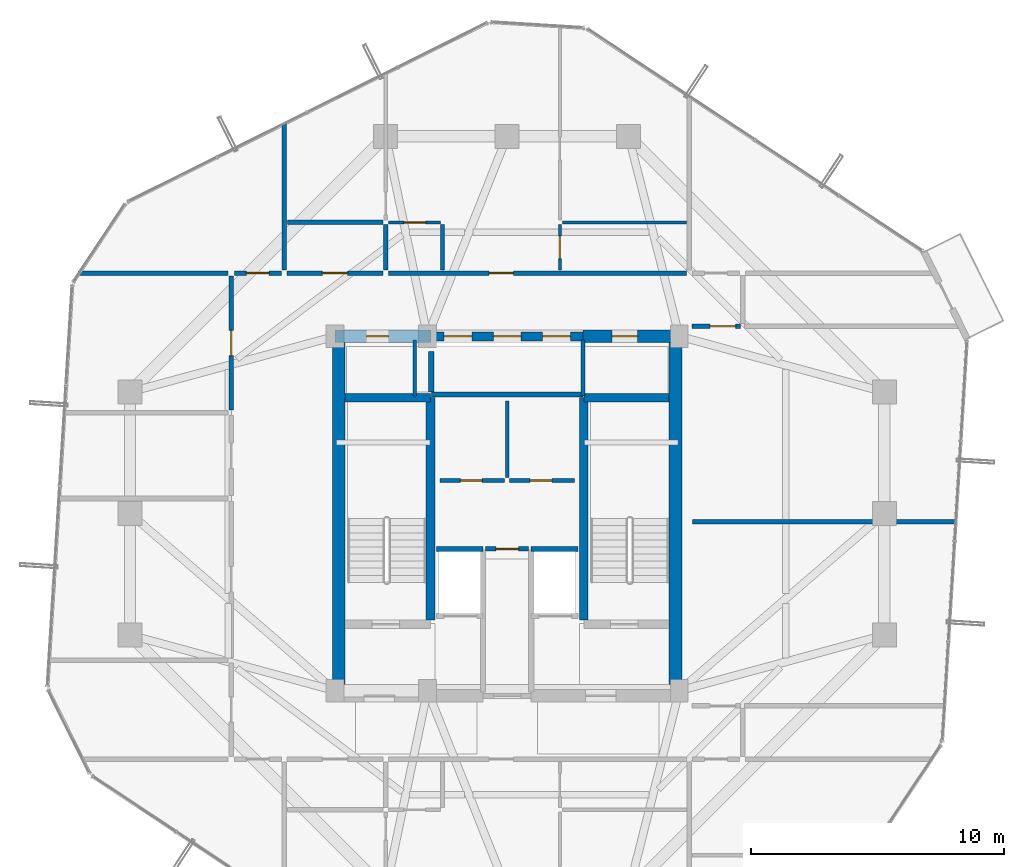
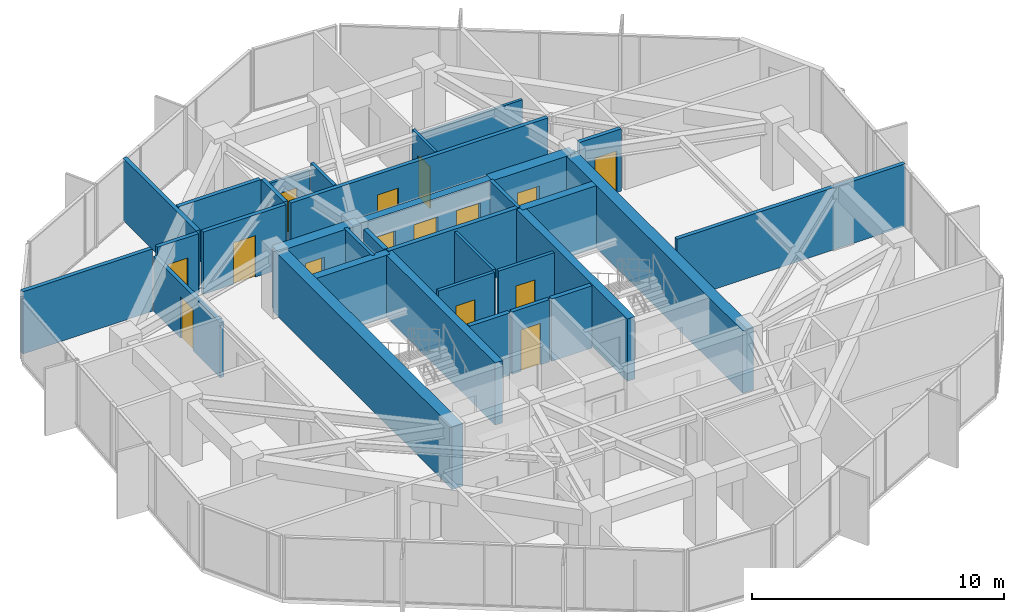
# One storey, part 26 of 29: 33 walls, 15 doors, 15 openings.
"""IFC4 building model written with IfcOpenShell, lengths in metres."""

from ifc_helpers import new_model, si_unit, direction, frame, frame_2d, origin, place, context, subcontext, project, spatial, rectangle, extrude, source, transform, mapped, material, layer, layer_set, type_object, element, fill, save


model = new_model("IFC4")

# Units and contexts
model_context = context("Model", 3, precision=1e-05, world=origin(), true_north=direction((0.0, 1.0)))
body_context = subcontext(model_context, "Body", "Model", "MODEL_VIEW")
ifc_project = project(units=[si_unit("LENGTHUNIT", "METRE"), si_unit("AREAUNIT", "SQUARE_METRE"), si_unit("VOLUMEUNIT", "CUBIC_METRE"), si_unit("PLANEANGLEUNIT", "RADIAN"), si_unit("MASSUNIT", "GRAM", prefix="KILO")], contexts=[model_context])

# Site, building, storey
site_placement = place(None, origin())
site = spatial("IfcSite", under=ifc_project, at=site_placement, CompositionType="ELEMENT")
building_placement = place(site_placement, origin())
building = spatial("IfcBuilding", under=site, at=building_placement, Name="Veraguas Prism Commons", CompositionType="ELEMENT")
storey_placement = place(building_placement, frame((0.0, 0.0, 218.89990234375)))
storey = spatial("IfcBuildingStorey", under=building, at=storey_placement, Name="L62", CompositionType="ELEMENT", Elevation=218.89990234375)

# Wall, openings, doors
ifc_material_1 = material(Name="Concrete C50/60", Category="concrete")
ifc_layer_1 = layer(ifc_material_1, 0.35009765625, Name="Core Internal Shear Wall Upper RC 350", Category="concrete")
ifc_layer_set_1 = layer_set([ifc_layer_1], Name="Concrete C50/60")
wall_type_1 = type_object("IfcWallType", Name="Core Internal Shear Wall Upper RC 350", PredefinedType="SHEAR", material=ifc_layer_set_1)
wall_1_placement = place(storey_placement, frame((21.0, 31.0, 0.0), z_axis=(0.0, 0.0, 1.0), x_axis=(1.0, 0.0, 0.0)))
wall_1 = element("IfcWall", 1, at=wall_1_placement, inside=storey, type_object=wall_type_1, Name="High-Rise Lift Bank Front Shear Wall L62", PredefinedType="SHEAR", context=body_context, shape_type="SweptSolid", body=[
    extrude(rectangle(XDim=6.0, YDim=0.35009765625, at=frame_2d((3.0, 0.0))), origin(), (0.0, 0.0, 1.0), 3.01513671875),
])
opening_1_placement = place(wall_1_placement, frame((0.5, 0.0, 0.0)))
opening_1 = element("IfcOpeningElement", 2, at=opening_1_placement, cuts=wall_1, Name="Opening LD-01", PredefinedType="OPENING", context=body_context, shape_type="SweptSolid", body=[
    extrude(rectangle(XDim=1.10009765625, YDim=2.080078125, at=frame_2d((0.550048828125, 1.0400390625))), frame((0.0, 0.18505859375, 0.0), z_axis=(0.0, -1.0, 0.0), x_axis=(1.0, 0.0, 0.0)), (0.0, 0.0, 1.0), 0.3701171875),
])
opening_2_placement = place(wall_1_placement, frame((2.449951171875, 0.0, 0.0)))
opening_2 = element("IfcOpeningElement", 3, at=opening_2_placement, cuts=wall_1, Name="Opening LD-01", PredefinedType="OPENING", context=body_context, shape_type="SweptSolid", body=[
    extrude(rectangle(XDim=1.10009765625, YDim=2.080078125, at=frame_2d((0.550048828125, 1.0400390625))), frame((0.0, 0.18505859375, 0.0), z_axis=(0.0, -1.0, 0.0), x_axis=(1.0, 0.0, 0.0)), (0.0, 0.0, 1.0), 0.3701171875),
])
opening_3_placement = place(wall_1_placement, frame((4.39990234375, 0.0, 0.0)))
opening_3 = element("IfcOpeningElement", 4, at=opening_3_placement, cuts=wall_1, Name="Opening LD-01", PredefinedType="OPENING", context=body_context, shape_type="SweptSolid", body=[
    extrude(rectangle(XDim=1.10009765625, YDim=2.080078125, at=frame_2d((0.550048828125, 1.0400390625))), frame((0.0, 0.18505859375, 0.0), z_axis=(0.0, -1.0, 0.0), x_axis=(1.0, 0.0, 0.0)), (0.0, 0.0, 1.0), 0.3701171875),
])
ifc_material_2 = material(Name="Stainless steel AISI 316", Category="steel")
door_type_1 = type_object("IfcDoorType", Name="Passenger Lift Sliding Landing Door 1100x2080", OperationType="NOTDEFINED", PredefinedType="DOOR", material=ifc_material_2)
shared_shape_1 = source(origin(), body_context, "Body", "SweptSolid", [
    extrude(rectangle(XDim=1.10009765625, YDim=2.080078125, at=frame_2d((0.550048828125, 1.0400390625))), frame((0.0, 0.02490234375, 0.0), z_axis=(0.0, -1.0, 0.0), x_axis=(1.0, 0.0, 0.0)), (0.0, 0.0, 1.0), 0.050048828125),
])
door_1_placement = place(opening_1_placement, origin())
door_1 = element("IfcDoor", 5, at=door_1_placement, inside=storey, type_object=door_type_1, Name="Sliding Landing Door PL-H1 L62", OperationType="SLIDING_TO_LEFT", OverallHeight=2.080078125, OverallWidth=1.10009765625, PredefinedType="DOOR", context=body_context, shape_type="MappedRepresentation", body=[
    mapped(shared_shape_1, transform((0.0, 0.0, 0.0), scale=1.0)),
])
fill(opening_1, door_1)
door_2_placement = place(opening_2_placement, origin())
door_2 = element("IfcDoor", 6, at=door_2_placement, inside=storey, type_object=door_type_1, Name="Sliding Landing Door PL-H2 L62", OperationType="SLIDING_TO_LEFT", OverallHeight=2.080078125, OverallWidth=1.10009765625, PredefinedType="DOOR", context=body_context, shape_type="MappedRepresentation", body=[
    mapped(shared_shape_1, transform((0.0, 0.0, 0.0), scale=1.0)),
])
fill(opening_2, door_2)
door_3_placement = place(opening_3_placement, origin())
door_3 = element("IfcDoor", 7, at=door_3_placement, inside=storey, type_object=door_type_1, Name="Sliding Landing Door PL-H3 L62", OperationType="SLIDING_TO_LEFT", OverallHeight=2.080078125, OverallWidth=1.10009765625, PredefinedType="DOOR", context=body_context, shape_type="MappedRepresentation", body=[
    mapped(shared_shape_1, transform((0.0, 0.0, 0.0), scale=1.0)),
])
fill(opening_3, door_3)

# Walls
for number, where, z_axis, x_axis, name in (
    (8, (20.97509765625, 19.800048828125, 0.0), (0.0, 0.0, 1.0), (0.0, 1.0, 0.0), "Stair ST-01 Inner Shear Wall L62"),
    (9, (27.02490234375, 19.800048828125, 0.0), (0.0, 0.0, 1.0), (0.0, 1.0, 0.0), "Stair ST-02 Inner Shear Wall L62"),
):
    element("IfcWall", number, at=place(storey_placement, frame(where, z_axis=z_axis, x_axis=x_axis)), inside=storey, type_object=wall_type_1, Name=name, PredefinedType="SHEAR", context=body_context, shape_type="SweptSolid", body=[
        extrude(rectangle(XDim=8.77490234375, YDim=0.35009765625, at=frame_2d((4.387451171875, 0.0))), origin(), (0.0, 0.0, 1.0), 3.01513671875),
    ])
for number, where, z_axis, x_axis, name in (
    (10, (17.60009765625, 28.574951171875, 0.0), (0.0, 0.0, 1.0), (1.0, 0.0, 0.0), "Stair ST-01 North Shear Wall L62"),
    (11, (27.02490234375, 28.574951171875, 0.0), (0.0, 0.0, 1.0), (1.0, 0.0, 0.0), "Stair ST-02 North Shear Wall L62"),
):
    element("IfcWall", number, at=place(storey_placement, frame(where, z_axis=z_axis, x_axis=x_axis)), inside=storey, type_object=wall_type_1, Name=name, PredefinedType="SHEAR", context=body_context, shape_type="SweptSolid", body=[
        extrude(rectangle(XDim=3.375, YDim=0.35009765625, at=frame_2d((1.6875, 0.0))), origin(), (0.0, 0.0, 1.0), 3.01513671875),
    ])
ifc_layer_2 = layer(ifc_material_1, 0.5, Name="Core Outer Shear Wall Upper RC 500", Category="concrete")
ifc_layer_set_2 = layer_set([ifc_layer_2], Name="Concrete C50/60")
wall_type_2 = type_object("IfcWallType", Name="Core Outer Shear Wall Upper RC 500", PredefinedType="SHEAR", material=ifc_layer_set_2)
for number, where, z_axis, x_axis, name in (
    (12, (17.35009765625, 16.800048828125, 0.0), (0.0, 0.0, 1.0), (0.0, 1.0, 0.0), "Central Core West Shear Wall L62"),
    (13, (30.64990234375, 16.800048828125, 0.0), (0.0, 0.0, 1.0), (0.0, 1.0, 0.0), "Central Core East Shear Wall L62"),
):
    element("IfcWall", number, at=place(storey_placement, frame(where, z_axis=z_axis, x_axis=x_axis)), inside=storey, type_object=wall_type_2, Name=name, PredefinedType="SHEAR", context=body_context, shape_type="SweptSolid", body=[
        extrude(rectangle(XDim=14.199951171875, YDim=0.5, at=frame_2d((7.10009765625, 0.0))), origin(), (0.0, 0.0, 1.0), 3.01513671875),
    ])

# Wall, opening, door
wall_2_placement = place(storey_placement, frame((17.199951171875, 31.0, 0.0), z_axis=(0.0, 0.0, 1.0), x_axis=(1.0, 0.0, 0.0)))
wall_2 = element("IfcWall", 14, at=wall_2_placement, inside=storey, type_object=wall_type_2, Name="Central Core North-West Shear Wall L62", PredefinedType="SHEAR", context=body_context, shape_type="SweptSolid", body=[
    extrude(rectangle(XDim=3.800048828125, YDim=0.5, at=frame_2d((1.89990234375, 0.0))), origin(), (0.0, 0.0, 1.0), 3.01513671875),
])
opening_4_placement = place(wall_2_placement, frame((1.25, 0.0, 0.0)))
opening_4 = element("IfcOpeningElement", 15, at=opening_4_placement, cuts=wall_2, Name="Opening DR-12", PredefinedType="OPENING", context=body_context, shape_type="SweptSolid", body=[
    extrude(rectangle(XDim=0.860107421875, YDim=2.010009765625, at=frame_2d((0.43017578125, 1.0048828125))), frame((0.0, 0.260009765625, 0.0), z_axis=(0.0, -1.0, 0.0), x_axis=(1.0, 0.0, 0.0)), (0.0, 0.0, 1.0), 0.52001953125),
])
ifc_material_3 = material(Name="Steel fire-rated door assembly", Category="steel")
door_type_2 = type_object("IfcDoorType", Name="Core WC Fire Door 860x2010", OperationType="NOTDEFINED", PredefinedType="DOOR", material=ifc_material_3)
shared_shape_2 = source(origin(), body_context, "Body", "SweptSolid", [
    extrude(rectangle(XDim=0.860107421875, YDim=2.010009765625, at=frame_2d((0.43017578125, 1.0048828125))), frame((0.0, 0.02490234375, 0.0), z_axis=(0.0, -1.0, 0.0), x_axis=(1.0, 0.0, 0.0)), (0.0, 0.0, 1.0), 0.050048828125),
])
door_4_placement = place(opening_4_placement, origin())
door_4 = element("IfcDoor", 16, at=door_4_placement, inside=storey, type_object=door_type_2, Name="Core NW Service Door L62", OperationType="SINGLE_SWING_LEFT", OverallHeight=2.010009765625, OverallWidth=0.860107421875, PredefinedType="DOOR", context=body_context, shape_type="MappedRepresentation", body=[
    mapped(shared_shape_2, transform((0.0, 0.0, 0.0), scale=1.0)),
])
fill(opening_4, door_4)

wall_3_placement = place(storey_placement, frame((27.0, 31.0, 0.0), z_axis=(0.0, 0.0, 1.0), x_axis=(1.0, 0.0, 0.0)))
wall_3 = element("IfcWall", 17, at=wall_3_placement, inside=storey, type_object=wall_type_2, Name="Central Core North-East Shear Wall L62", PredefinedType="SHEAR", context=body_context, shape_type="SweptSolid", body=[
    extrude(rectangle(XDim=3.800048828125, YDim=0.5, at=frame_2d((1.89990234375, 0.0))), origin(), (0.0, 0.0, 1.0), 3.01513671875),
])
opening_5_placement = place(wall_3_placement, frame((1.14990234375, 0.0, 0.0)))
opening_5 = element("IfcOpeningElement", 18, at=opening_5_placement, cuts=wall_3, Name="Opening DR-13", PredefinedType="OPENING", context=body_context, shape_type="SweptSolid", body=[
    extrude(rectangle(XDim=1.0, YDim=2.010009765625, at=frame_2d((0.5, 1.0048828125))), frame((0.0, 0.260009765625, 0.0), z_axis=(0.0, -1.0, 0.0), x_axis=(1.0, 0.0, 0.0)), (0.0, 0.0, 1.0), 0.52001953125),
])
door_type_3 = type_object("IfcDoorType", Name="Core Accessible WC and Clinic Fire Door 1000x2010", OperationType="NOTDEFINED", PredefinedType="DOOR", material=ifc_material_3)
shared_shape_3 = source(origin(), body_context, "Body", "SweptSolid", [
    extrude(rectangle(XDim=1.0, YDim=2.010009765625, at=frame_2d((0.5, 1.0048828125))), frame((0.0, 0.02490234375, 0.0), z_axis=(0.0, -1.0, 0.0), x_axis=(1.0, 0.0, 0.0)), (0.0, 0.0, 1.0), 0.050048828125),
])
door_5_placement = place(opening_5_placement, origin())
door_5 = element("IfcDoor", 19, at=door_5_placement, inside=storey, type_object=door_type_3, Name="Core NE Pantry Door L62", OperationType="SINGLE_SWING_RIGHT", OverallHeight=2.010009765625, OverallWidth=1.0, PredefinedType="DOOR", context=body_context, shape_type="MappedRepresentation", body=[
    mapped(shared_shape_3, transform((0.0, 0.0, 0.0), scale=1.0)),
])
fill(opening_5, door_5)

ifc_material_4 = material(Name="Autoclaved aerated masonry block 10 MPa", Category="masonry")
ifc_layer_3 = layer(ifc_material_4, 0.179931640625, Name="Corridor and Inter-Tenancy Partition 180", Category="masonry")
ifc_layer_set_3 = layer_set([ifc_layer_3], Name="Autoclaved aerated masonry block 10 MPa")
wall_type_3 = type_object("IfcWallType", Name="Corridor and Inter-Tenancy Partition 180", PredefinedType="PARTITIONING", material=ifc_layer_set_3)
wall_4_placement = place(storey_placement, frame((23.14990234375, 22.60009765625, 0.0), z_axis=(0.0, 0.0, 1.0), x_axis=(1.0, 0.0, 0.0)))
wall_4 = element("IfcWall", 20, at=wall_4_placement, inside=storey, type_object=wall_type_3, Name="Core Suite Entry Wall L62", PredefinedType="PARTITIONING", context=body_context, shape_type="SweptSolid", body=[
    extrude(rectangle(XDim=1.7001953125, YDim=0.179931640625, at=frame_2d((0.85009765625, 0.0))), origin(), (0.0, 0.0, 1.0), 3.01513671875),
])
opening_6_placement = place(wall_4_placement, frame((0.39990234375, 0.0, 0.0)))
opening_6 = element("IfcOpeningElement", 21, at=opening_6_placement, cuts=wall_4, Name="Opening DR-14", PredefinedType="OPENING", context=body_context, shape_type="SweptSolid", body=[
    extrude(rectangle(XDim=0.89990234375, YDim=2.010009765625, at=frame_2d((0.449951171875, 1.0048828125))), frame((0.0, 0.099853515625, 0.0), z_axis=(0.0, -1.0, 0.0), x_axis=(1.0, 0.0, 0.0)), (0.0, 0.0, 1.0), 0.199951171875),
])
door_type_4 = type_object("IfcDoorType", Name="Core Service Room Fire Door 900x2010", OperationType="NOTDEFINED", PredefinedType="DOOR", material=ifc_material_3)
shared_shape_4 = source(origin(), body_context, "Body", "SweptSolid", [
    extrude(rectangle(XDim=0.89990234375, YDim=2.010009765625, at=frame_2d((0.449951171875, 1.0048828125))), frame((0.0, 0.02490234375, 0.0), z_axis=(0.0, -1.0, 0.0), x_axis=(1.0, 0.0, 0.0)), (0.0, 0.0, 1.0), 0.050048828125),
])
door_6_placement = place(opening_6_placement, origin())
door_6 = element("IfcDoor", 22, at=door_6_placement, inside=storey, type_object=door_type_4, Name="Core Suite Entry Door L62", OperationType="SINGLE_SWING_LEFT", OverallHeight=2.010009765625, OverallWidth=0.89990234375, PredefinedType="DOOR", context=body_context, shape_type="MappedRepresentation", body=[
    mapped(shared_shape_4, transform((0.0, 0.0, 0.0), scale=1.0)),
])
fill(opening_6, door_6)

# Wall
wall_5_placement = place(storey_placement, frame((15.199951171875, 33.6201171875, 0.0), z_axis=(0.0, 0.0, 1.0), x_axis=(0.0, 1.0, 0.0)))
element("IfcWall", 23, at=wall_5_placement, inside=storey, type_object=wall_type_3, Name="WL-L62-PT013", PredefinedType="PARTITIONING", context=body_context, shape_type="SweptSolid", body=[
    extrude(rectangle(XDim=5.816162109375, YDim=0.179931640625, at=frame_2d((2.908203125, 0.0))), origin(), (0.0, 0.0, 1.0), 3.01513671875),
])

# Wall, opening, door
wall_6_placement = place(storey_placement, frame((15.31005859375, 33.5, 0.0), z_axis=(0.0, 0.0, 1.0), x_axis=(1.0, 0.0, 0.0)))
wall_6 = element("IfcWall", 24, at=wall_6_placement, inside=storey, type_object=wall_type_3, Name="WL-L62-PT015", PredefinedType="PARTITIONING", context=body_context, shape_type="SweptSolid", body=[
    extrude(rectangle(XDim=3.780029296875, YDim=0.179931640625, at=frame_2d((1.89013671875, 0.0))), origin(), (0.0, 0.0, 1.0), 3.01513671875),
])
opening_7_placement = place(wall_6_placement, frame((1.389892578125, 0.0, 0.0)))
opening_7 = element("IfcOpeningElement", 25, at=opening_7_placement, cuts=wall_6, Name="Opening DR-13", PredefinedType="OPENING", context=body_context, shape_type="SweptSolid", body=[
    extrude(rectangle(XDim=1.0, YDim=2.010009765625, at=frame_2d((0.5, 1.0048828125))), frame((0.0, 0.099853515625, 0.0), z_axis=(0.0, -1.0, 0.0), x_axis=(1.0, 0.0, 0.0)), (0.0, 0.0, 1.0), 0.199951171875),
])
door_7_placement = place(opening_7_placement, origin())
door_7 = element("IfcDoor", 26, at=door_7_placement, inside=storey, type_object=door_type_3, Name="Residents Study Alcove 62B Door", OperationType="SINGLE_SWING_RIGHT", OverallHeight=2.010009765625, OverallWidth=1.0, PredefinedType="DOOR", context=body_context, shape_type="MappedRepresentation", body=[
    mapped(shared_shape_3, transform((0.0, 0.0, 0.0), scale=1.0)),
])
fill(opening_7, door_7)

wall_7_placement = place(storey_placement, frame((19.31005859375, 33.5, 0.0), z_axis=(0.0, 0.0, 1.0), x_axis=(1.0, 0.0, 0.0)))
wall_7 = element("IfcWall", 27, at=wall_7_placement, inside=storey, type_object=wall_type_3, Name="WL-L62-PT016", PredefinedType="PARTITIONING", context=body_context, shape_type="SweptSolid", body=[
    extrude(rectangle(XDim=11.780029296875, YDim=0.179931640625, at=frame_2d((5.89013671875, 0.0))), origin(), (0.0, 0.0, 1.0), 3.01513671875),
])
opening_8_placement = place(wall_7_placement, frame((3.97998046875, 0.0, 0.0)))
opening_8 = element("IfcOpeningElement", 28, at=opening_8_placement, cuts=wall_7, Name="Opening DR-01", PredefinedType="OPENING", context=body_context, shape_type="SweptSolid", body=[
    extrude(rectangle(XDim=0.949951171875, YDim=2.02001953125, at=frame_2d((0.47509765625, 1.010009765625))), frame((0.0, 0.099853515625, 0.0), z_axis=(0.0, -1.0, 0.0), x_axis=(1.0, 0.0, 0.0)), (0.0, 0.0, 1.0), 0.199951171875),
])
ifc_material_5 = material(Name="Anodised aluminium EN AW-6063 T6", Category="aluminium")
door_type_5 = type_object("IfcDoorType", Name="Apartment Entrance Fire Door 950x2020", OperationType="NOTDEFINED", PredefinedType="DOOR", material=ifc_material_5)
shared_shape_5 = source(origin(), body_context, "Body", "SweptSolid", [
    extrude(rectangle(XDim=0.949951171875, YDim=2.02001953125, at=frame_2d((0.47509765625, 1.010009765625))), frame((0.0, 0.02490234375, 0.0), z_axis=(0.0, -1.0, 0.0), x_axis=(1.0, 0.0, 0.0)), (0.0, 0.0, 1.0), 0.050048828125),
])
door_8_placement = place(opening_8_placement, origin())
door_8 = element("IfcDoor", 29, at=door_8_placement, inside=storey, type_object=door_type_5, Name="Flat 62B Entrance Door", OperationType="SINGLE_SWING_LEFT", OverallHeight=2.02001953125, OverallWidth=0.949951171875, PredefinedType="DOOR", context=body_context, shape_type="MappedRepresentation", body=[
    mapped(shared_shape_5, transform((0.0, 0.0, 0.0), scale=1.0)),
])
fill(opening_8, door_8)

# Walls
wall_8_placement = place(storey_placement, frame((15.320068359375, 35.5, 0.0), z_axis=(0.0, 0.0, 1.0), x_axis=(1.0, 0.0, 0.0)))
element("IfcWall", 30, at=wall_8_placement, inside=storey, type_object=wall_type_3, Name="WL-L62-PT017", PredefinedType="PARTITIONING", context=body_context, shape_type="SweptSolid", body=[
    extrude(rectangle(XDim=3.780029296875, YDim=0.179931640625, at=frame_2d((1.89013671875, 0.0))), origin(), (0.0, 0.0, 1.0), 3.01513671875),
])
wall_9_placement = place(storey_placement, frame((19.199951171875, 33.6201171875, 0.0), z_axis=(0.0, 0.0, 1.0), x_axis=(0.0, 1.0, 0.0)))
element("IfcWall", 31, at=wall_9_placement, inside=storey, type_object=wall_type_3, Name="WL-L62-PT018", PredefinedType="PARTITIONING", context=body_context, shape_type="SweptSolid", body=[
    extrude(rectangle(XDim=1.7998046875, YDim=0.179931640625, at=frame_2d((0.89990234375, 0.0))), origin(), (0.0, 0.0, 1.0), 3.01513671875),
])
wall_10_placement = place(storey_placement, frame((12.97998046875, 33.5, 0.0), z_axis=(0.0, 0.0, 1.0), x_axis=(-1.0, 0.0, 0.0)))
element("IfcWall", 32, at=wall_10_placement, inside=storey, type_object=wall_type_3, Name="WL-L62-PT026", PredefinedType="PARTITIONING", context=body_context, shape_type="SweptSolid", body=[
    extrude(rectangle(XDim=5.92578125, YDim=0.179931640625, at=frame_2d((2.962890625, 0.0))), origin(), (0.0, 0.0, 1.0), 3.01513671875),
])

# Wall, opening, door
wall_11_placement = place(storey_placement, frame((13.10009765625, 28.087890625, 0.0), z_axis=(0.0, 0.0, 1.0), x_axis=(0.0, 1.0, 0.0)))
wall_11 = element("IfcWall", 33, at=wall_11_placement, inside=storey, type_object=wall_type_3, Name="WL-L62-PT032", PredefinedType="PARTITIONING", context=body_context, shape_type="SweptSolid", body=[
    extrude(rectangle(XDim=5.302001953125, YDim=0.179931640625, at=frame_2d((2.65087890625, 0.0))), origin(), (0.0, 0.0, 1.0), 2.662109375),
])
opening_9_placement = place(wall_11_placement, frame((2.15087890625, 0.0, 0.0)))
opening_9 = element("IfcOpeningElement", 34, at=opening_9_placement, cuts=wall_11, Name="Opening DR-13", PredefinedType="OPENING", context=body_context, shape_type="SweptSolid", body=[
    extrude(rectangle(XDim=1.0, YDim=2.010009765625, at=frame_2d((0.5, 1.0048828125))), frame((0.0, 0.099853515625, 0.0), z_axis=(0.0, -1.0, 0.0), x_axis=(1.0, 0.0, 0.0)), (0.0, 0.0, 1.0), 0.199951171875),
])
door_9_placement = place(opening_9_placement, origin())
door_9 = element("IfcDoor", 35, at=door_9_placement, inside=storey, type_object=door_type_3, Name="Co-op Store W Door", OperationType="SINGLE_SWING_LEFT", OverallHeight=2.010009765625, OverallWidth=1.0, PredefinedType="DOOR", context=body_context, shape_type="MappedRepresentation", body=[
    mapped(shared_shape_3, transform((0.0, 0.0, 0.0), scale=1.0)),
])
fill(opening_9, door_9)

# Wall
wall_12_placement = place(storey_placement, frame((31.320068359375, 23.675048828125, 0.0), z_axis=(0.0, 0.0, 1.0), x_axis=(1.0, 0.0, 0.0)))
element("IfcWall", 36, at=wall_12_placement, inside=storey, type_object=wall_type_3, Name="WL-L62-PT034", PredefinedType="PARTITIONING", context=body_context, shape_type="SweptSolid", body=[
    extrude(rectangle(XDim=10.43408203125, YDim=0.179931640625, at=frame_2d((5.217041015625, 0.0))), origin(), (0.0, 0.0, 1.0), 3.01513671875),
])

# Wall, opening, door
wall_13_placement = place(storey_placement, frame((31.300048828125, 31.39990234375, 0.0), z_axis=(0.0, 0.0, 1.0), x_axis=(1.0, 0.0, 0.0)))
wall_13 = element("IfcWall", 37, at=wall_13_placement, inside=storey, type_object=wall_type_3, Name="WL-L62-PT039", PredefinedType="PARTITIONING", context=body_context, shape_type="SweptSolid", body=[
    extrude(rectangle(XDim=1.919921875, YDim=0.179931640625, at=frame_2d((0.9599609375, 0.0))), origin(), (0.0, 0.0, 1.0), 3.01513671875),
])
opening_10_placement = place(wall_13_placement, frame((0.719970703125, 0.0, 0.0)))
opening_10 = element("IfcOpeningElement", 38, at=opening_10_placement, cuts=wall_13, Name="Opening DR-13", PredefinedType="OPENING", context=body_context, shape_type="SweptSolid", body=[
    extrude(rectangle(XDim=1.0, YDim=2.010009765625, at=frame_2d((0.5, 1.0048828125))), frame((0.0, 0.099853515625, 0.0), z_axis=(0.0, -1.0, 0.0), x_axis=(1.0, 0.0, 0.0)), (0.0, 0.0, 1.0), 0.199951171875),
])
door_10_placement = place(opening_10_placement, origin())
door_10 = element("IfcDoor", 39, at=door_10_placement, inside=storey, type_object=door_type_3, Name="Study Salon Door L62", OperationType="SINGLE_SWING_LEFT", OverallHeight=2.010009765625, OverallWidth=1.0, PredefinedType="DOOR", context=body_context, shape_type="MappedRepresentation", body=[
    mapped(shared_shape_3, transform((0.0, 0.0, 0.0), scale=1.0)),
])
fill(opening_10, door_10)

wall_14_placement = place(storey_placement, frame((13.219970703125, 33.5, 0.0), z_axis=(0.0, 0.0, 1.0), x_axis=(1.0, 0.0, 0.0)))
wall_14 = element("IfcWall", 40, at=wall_14_placement, inside=storey, type_object=wall_type_3, Name="WL-L62-PT045", PredefinedType="PARTITIONING", context=body_context, shape_type="SweptSolid", body=[
    extrude(rectangle(XDim=1.860107421875, YDim=0.179931640625, at=frame_2d((0.93017578125, 0.0))), origin(), (0.0, 0.0, 1.0), 3.01513671875),
])
opening_11_placement = place(wall_14_placement, frame((0.47998046875, 0.0, 0.0)))
opening_11 = element("IfcOpeningElement", 41, at=opening_11_placement, cuts=wall_14, Name="Opening DR-14", PredefinedType="OPENING", context=body_context, shape_type="SweptSolid", body=[
    extrude(rectangle(XDim=0.89990234375, YDim=2.010009765625, at=frame_2d((0.449951171875, 1.0048828125))), frame((0.0, 0.099853515625, 0.0), z_axis=(0.0, -1.0, 0.0), x_axis=(1.0, 0.0, 0.0)), (0.0, 0.0, 1.0), 0.199951171875),
])
door_11_placement = place(opening_11_placement, origin())
door_11 = element("IfcDoor", 42, at=door_11_placement, inside=storey, type_object=door_type_4, Name="Community Co-op Kitchen NW Door", OperationType="SINGLE_SWING_LEFT", OverallHeight=2.010009765625, OverallWidth=0.89990234375, PredefinedType="DOOR", context=body_context, shape_type="MappedRepresentation", body=[
    mapped(shared_shape_4, transform((0.0, 0.0, 0.0), scale=1.0)),
])
fill(opening_11, door_11)

# Wall
ifc_material_6 = material(Name="Lightweight acoustic gypsum board")
ifc_layer_4 = layer(ifc_material_6, 0.125, Name="Internal Apartment Room Partition 125")
ifc_layer_set_4 = layer_set([ifc_layer_4], Name="Lightweight acoustic gypsum board")
wall_type_4 = type_object("IfcWallType", Name="Internal Apartment Room Partition 125", PredefinedType="PARTITIONING", material=ifc_layer_set_4)
wall_15_placement = place(storey_placement, frame((24.0, 25.419921875, 0.0), z_axis=(0.0, 0.0, 1.0), x_axis=(0.0, 1.0, 0.0)))
element("IfcWall", 43, at=wall_15_placement, inside=storey, type_object=wall_type_4, Name="WL-L62-FRWVM", PredefinedType="PARTITIONING", context=body_context, shape_type="SweptSolid", body=[
    extrude(rectangle(XDim=3.030029296875, YDim=0.125, at=frame_2d((1.51513671875, 0.0))), origin(), (0.0, 0.0, 1.0), 3.01513671875),
])

# Wall, opening, door
wall_16_placement = place(storey_placement, frame((19.320068359375, 35.5, 0.0), z_axis=(0.0, 0.0, 1.0), x_axis=(1.0, 0.0, 0.0)))
wall_16 = element("IfcWall", 44, at=wall_16_placement, inside=storey, type_object=wall_type_4, Name="WL-L62-PT021", PredefinedType="PARTITIONING", context=body_context, shape_type="SweptSolid", body=[
    extrude(rectangle(XDim=2.050048828125, YDim=0.125, at=frame_2d((1.02490234375, 0.0))), origin(), (0.0, 0.0, 1.0), 2.662109375),
])
opening_12_placement = place(wall_16_placement, frame((0.594970703125, 0.0, 0.0)))
opening_12 = element("IfcOpeningElement", 45, at=opening_12_placement, cuts=wall_16, Name="Opening DR-03", PredefinedType="OPENING", context=body_context, shape_type="SweptSolid", body=[
    extrude(rectangle(XDim=0.860107421875, YDim=2.010009765625, at=frame_2d((0.43017578125, 1.0048828125))), frame((0.0, 0.072509765625, 0.0), z_axis=(0.0, -1.0, 0.0), x_axis=(1.0, 0.0, 0.0)), (0.0, 0.0, 1.0), 0.14501953125),
])
ifc_material_7 = material(Name="Timber moisture-resistant leaf", Category="wood")
door_type_6 = type_object("IfcDoorType", Name="Internal Bathroom Door 860x2010", OperationType="NOTDEFINED", PredefinedType="DOOR", material=ifc_material_7)
door_12_placement = place(opening_12_placement, origin())
door_12 = element("IfcDoor", 46, at=door_12_placement, inside=storey, type_object=door_type_6, Name="Flat 62B Bathroom Door", OperationType="SINGLE_SWING_LEFT", OverallHeight=2.010009765625, OverallWidth=0.860107421875, PredefinedType="DOOR", context=body_context, shape_type="MappedRepresentation", body=[
    mapped(shared_shape_2, transform((0.0, 0.0, 0.0), scale=1.0)),
])
fill(opening_12, door_12)

wall_17_placement = place(storey_placement, frame((26.080078125, 33.6201171875, 0.0), z_axis=(0.0, 0.0, 1.0), x_axis=(0.0, 1.0, 0.0)))
wall_17 = element("IfcWall", 47, at=wall_17_placement, inside=storey, type_object=wall_type_4, Name="WL-L62-PT022", PredefinedType="PARTITIONING", context=body_context, shape_type="SweptSolid", body=[
    extrude(rectangle(XDim=1.7998046875, YDim=0.125, at=frame_2d((0.89990234375, 0.0))), origin(), (0.0, 0.0, 1.0), 3.01513671875),
])
opening_13_placement = place(wall_17_placement, frame((0.449951171875, 0.0, 0.0)))
opening_13 = element("IfcOpeningElement", 48, at=opening_13_placement, cuts=wall_17, Name="Opening DR-02", PredefinedType="OPENING", context=body_context, shape_type="SweptSolid", body=[
    extrude(rectangle(XDim=0.89990234375, YDim=2.010009765625, at=frame_2d((0.449951171875, 1.0048828125))), frame((0.0, 0.072509765625, 0.0), z_axis=(0.0, -1.0, 0.0), x_axis=(1.0, 0.0, 0.0)), (0.0, 0.0, 1.0), 0.14501953125),
])
ifc_material_8 = material(Name="Timber solid core hardwood", Category="wood")
door_type_7 = type_object("IfcDoorType", Name="Internal Habitable Room Door 900x2010", OperationType="NOTDEFINED", PredefinedType="DOOR", material=ifc_material_8)
door_13_placement = place(opening_13_placement, origin())
door_13 = element("IfcDoor", 49, at=door_13_placement, inside=storey, type_object=door_type_7, Name="Flat 62B Kitchen Door", OperationType="SINGLE_SWING_RIGHT", OverallHeight=2.010009765625, OverallWidth=0.89990234375, PredefinedType="DOOR", context=body_context, shape_type="MappedRepresentation", body=[
    mapped(shared_shape_4, transform((0.0, 0.0, 0.0), scale=1.0)),
])
fill(opening_13, door_13)

# Walls
wall_18_placement = place(storey_placement, frame((26.179931640625, 35.5, 0.0), z_axis=(0.0, 0.0, 1.0), x_axis=(1.0, 0.0, 0.0)))
element("IfcWall", 50, at=wall_18_placement, inside=storey, type_object=wall_type_4, Name="WL-L62-PT023", PredefinedType="PARTITIONING", context=body_context, shape_type="SweptSolid", body=[
    extrude(rectangle(XDim=4.900146484375, YDim=0.125, at=frame_2d((2.4501953125, 0.0))), origin(), (0.0, 0.0, 1.0), 2.662109375),
])
ifc_layer_5 = layer(ifc_material_4, 0.199951171875, Name="Rated Shaft and Lobby Block Wall 200", Category="masonry")
ifc_layer_set_5 = layer_set([ifc_layer_5], Name="Autoclaved aerated masonry block 10 MPa")
wall_type_5 = type_object("IfcWallType", Name="Rated Shaft and Lobby Block Wall 200", PredefinedType="SOLIDWALL", material=ifc_layer_set_5)
for number, where, z_axis, x_axis, name in (
    (51, (21.199951171875, 22.60009765625, 0.0), (0.0, 0.0, 1.0), (1.0, 0.0, 0.0), "Firefighting Lift FFL-1 Rear Wall L62"),
    (52, (24.949951171875, 22.60009765625, 0.0), (0.0, 0.0, 1.0), (1.0, 0.0, 0.0), "Firefighting Lift FFL-2 Rear Wall L62"),
):
    element("IfcWall", number, at=place(storey_placement, frame(where, z_axis=z_axis, x_axis=x_axis)), inside=storey, type_object=wall_type_5, Name=name, PredefinedType="SOLIDWALL", context=body_context, shape_type="SweptSolid", body=[
        extrude(rectangle(XDim=1.85009765625, YDim=0.199951171875, at=frame_2d((0.925048828125, 0.0))), origin(), (0.0, 0.0, 1.0), 3.01513671875),
    ])
wall_19_placement = place(storey_placement, frame((21.0, 28.699951171875, 0.0), z_axis=(0.0, 0.0, 1.0), x_axis=(1.0, 0.0, 0.0)))
element("IfcWall", 53, at=wall_19_placement, inside=storey, type_object=wall_type_5, Name="High-Rise Lift Bank Rear Shaft Wall L62", PredefinedType="SOLIDWALL", context=body_context, shape_type="SweptSolid", body=[
    extrude(rectangle(XDim=6.0, YDim=0.199951171875, at=frame_2d((3.0, 0.0))), origin(), (0.0, 0.0, 1.0), 3.01513671875),
])
wall_20_placement = place(storey_placement, frame((21.0, 28.800048828125, 0.0), z_axis=(0.0, 0.0, 1.0), x_axis=(0.0, 1.0, 0.0)))
element("IfcWall", 54, at=wall_20_placement, inside=storey, type_object=wall_type_5, Name="High-Rise Lift Bank West Shaft Wall L62", PredefinedType="SOLIDWALL", context=body_context, shape_type="SweptSolid", body=[
    extrude(rectangle(XDim=1.599853515625, YDim=0.199951171875, at=frame_2d((0.7998046875, 0.0))), origin(), (0.0, 0.0, 1.0), 3.01513671875),
])
ifc_layer_6 = layer(ifc_material_6, 0.14990234375, Name="Wet Room and Clinic Acoustic Partition 150")
ifc_layer_set_6 = layer_set([ifc_layer_6], Name="Lightweight acoustic gypsum board")
wall_type_6 = type_object("IfcWallType", Name="Wet Room and Clinic Acoustic Partition 150", PredefinedType="PARTITIONING", material=ifc_layer_set_6)
for number, where, z_axis, x_axis, name in (
    (55, (20.35009765625, 28.64990234375, 0.0), (0.0, 0.0, 1.0), (0.0, 1.0, 0.0), "Core NW Service Inner Wall L62"),
    (56, (27.0, 28.64990234375, 0.0), (0.0, 0.0, 1.0), (0.0, 1.0, 0.0), "Core NE Service Inner Wall L62"),
):
    element("IfcWall", number, at=place(storey_placement, frame(where, z_axis=z_axis, x_axis=x_axis)), inside=storey, type_object=wall_type_6, Name=name, PredefinedType="PARTITIONING", context=body_context, shape_type="SweptSolid", body=[
        extrude(rectangle(XDim=2.2001953125, YDim=0.14990234375, at=frame_2d((1.10009765625, 0.0))), origin(), (0.0, 0.0, 1.0), 3.01513671875),
    ])

# Wall, opening, door
wall_21_placement = place(storey_placement, frame((21.35009765625, 25.300048828125, 0.0), z_axis=(0.0, 0.0, 1.0), x_axis=(1.0, 0.0, 0.0)))
wall_21 = element("IfcWall", 57, at=wall_21_placement, inside=storey, type_object=wall_type_6, Name="WL-L62-FRWH1", PredefinedType="PARTITIONING", context=body_context, shape_type="SweptSolid", body=[
    extrude(rectangle(XDim=2.5498046875, YDim=0.14990234375, at=frame_2d((1.27490234375, 0.0))), origin(), (0.0, 0.0, 1.0), 3.01513671875),
])
opening_14_placement = place(wall_21_placement, frame((0.800048828125, 0.0, 0.0)))
opening_14 = element("IfcOpeningElement", 58, at=opening_14_placement, cuts=wall_21, Name="Opening DR-12", PredefinedType="OPENING", context=body_context, shape_type="SweptSolid", body=[
    extrude(rectangle(XDim=0.860107421875, YDim=2.010009765625, at=frame_2d((0.43017578125, 1.0048828125))), frame((0.0, 0.0849609375, 0.0), z_axis=(0.0, -1.0, 0.0), x_axis=(1.0, 0.0, 0.0)), (0.0, 0.0, 1.0), 0.169921875),
])
door_14_placement = place(opening_14_placement, origin())
door_14 = element("IfcDoor", 59, at=door_14_placement, inside=storey, type_object=door_type_2, Name="Quiet Study Door L62", OperationType="SINGLE_SWING_RIGHT", OverallHeight=2.010009765625, OverallWidth=0.860107421875, PredefinedType="DOOR", context=body_context, shape_type="MappedRepresentation", body=[
    mapped(shared_shape_2, transform((0.0, 0.0, 0.0), scale=1.0)),
])
fill(opening_14, door_14)

wall_22_placement = place(storey_placement, frame((24.10009765625, 25.300048828125, 0.0), z_axis=(0.0, 0.0, 1.0), x_axis=(1.0, 0.0, 0.0)))
wall_22 = element("IfcWall", 60, at=wall_22_placement, inside=storey, type_object=wall_type_6, Name="WL-L62-FRWH2", PredefinedType="PARTITIONING", context=body_context, shape_type="SweptSolid", body=[
    extrude(rectangle(XDim=2.5498046875, YDim=0.14990234375, at=frame_2d((1.27490234375, 0.0))), origin(), (0.0, 0.0, 1.0), 3.01513671875),
])
opening_15_placement = place(wall_22_placement, frame((0.800048828125, 0.0, 0.0)))
opening_15 = element("IfcOpeningElement", 61, at=opening_15_placement, cuts=wall_22, Name="Opening DR-12", PredefinedType="OPENING", context=body_context, shape_type="SweptSolid", body=[
    extrude(rectangle(XDim=0.860107421875, YDim=2.010009765625, at=frame_2d((0.43017578125, 1.0048828125))), frame((0.0, 0.0849609375, 0.0), z_axis=(0.0, -1.0, 0.0), x_axis=(1.0, 0.0, 0.0)), (0.0, 0.0, 1.0), 0.169921875),
])
door_15_placement = place(opening_15_placement, origin())
door_15 = element("IfcDoor", 62, at=door_15_placement, inside=storey, type_object=door_type_2, Name="Housekeeping Store Door L62", OperationType="SINGLE_SWING_LEFT", OverallHeight=2.010009765625, OverallWidth=0.860107421875, PredefinedType="DOOR", context=body_context, shape_type="MappedRepresentation", body=[
    mapped(shared_shape_2, transform((0.0, 0.0, 0.0), scale=1.0)),
])
fill(opening_15, door_15)

# Wall
wall_23_placement = place(storey_placement, frame((21.449951171875, 33.6201171875, 0.0), z_axis=(0.0, 0.0, 1.0), x_axis=(0.0, 1.0, 0.0)))
element("IfcWall", 63, at=wall_23_placement, inside=storey, type_object=wall_type_6, Name="WL-L62-PT020", PredefinedType="PARTITIONING", context=body_context, shape_type="SweptSolid", body=[
    extrude(rectangle(XDim=1.7998046875, YDim=0.14990234375, at=frame_2d((0.89990234375, 0.0))), origin(), (0.0, 0.0, 1.0), 3.01513671875),
])

save(model, "model.ifc")
